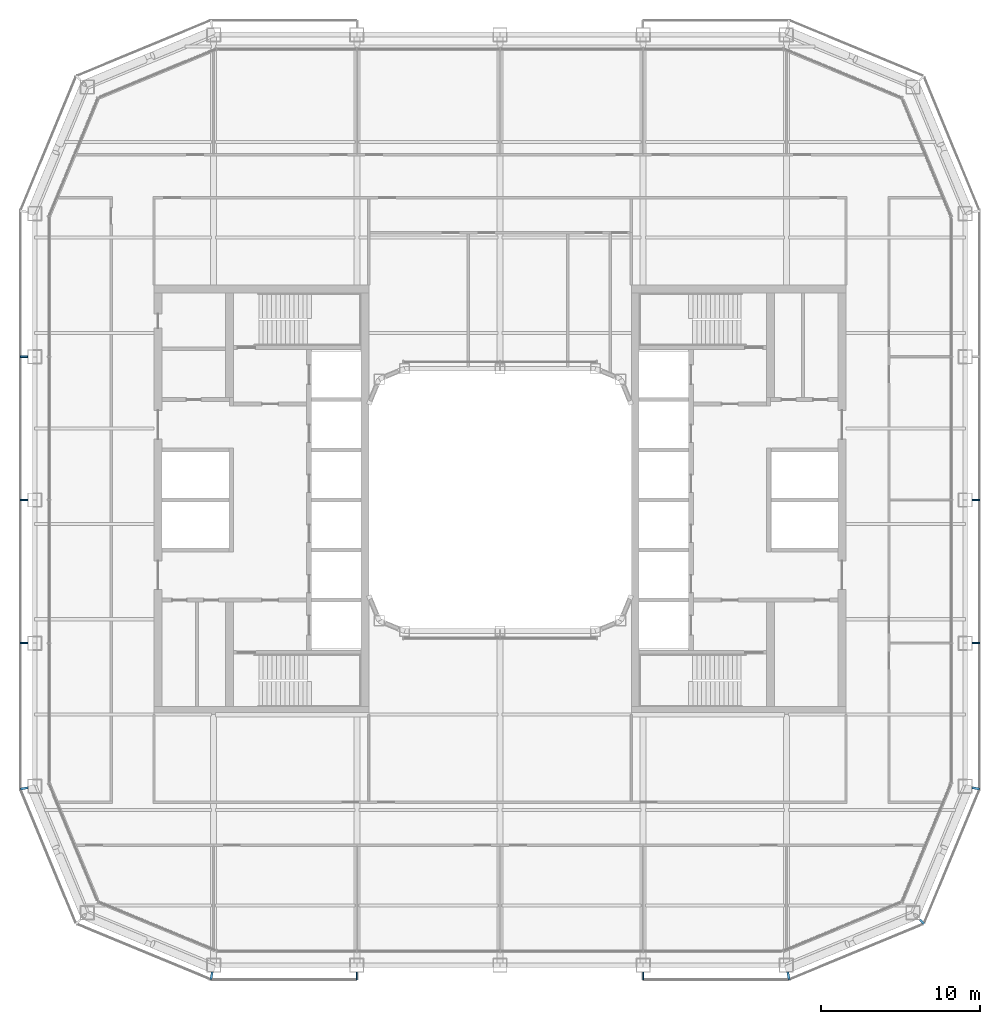
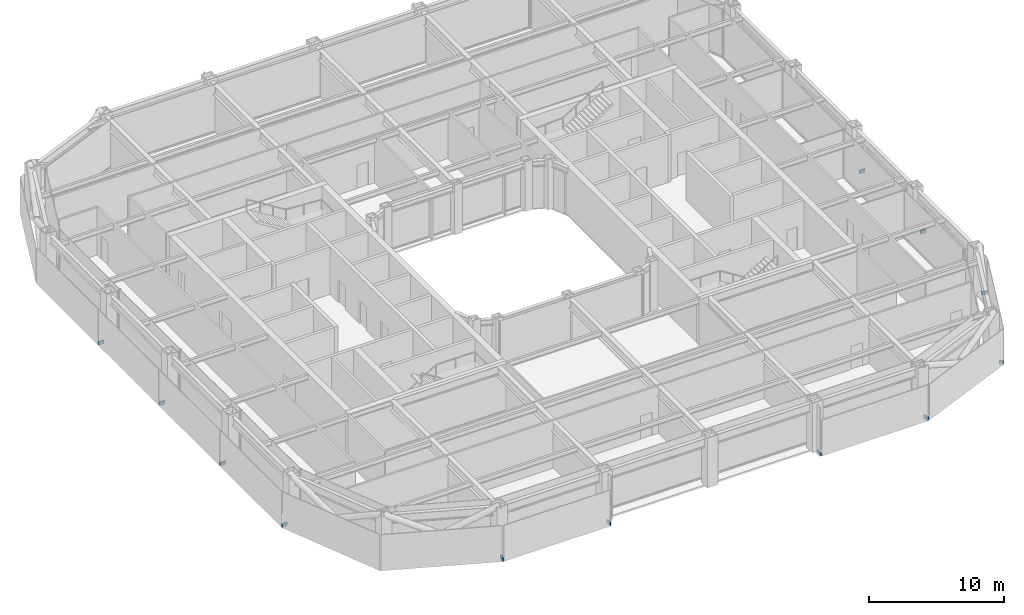
# One storey, part 15 of 21: 12 discrete accessories.
"""IFC4 building model written with IfcOpenShell, lengths in metres."""

from ifc_helpers import new_model, si_unit, direction, frame, origin, origin_2d, place, context, subcontext, project, spatial, rectangle, extrude, material, type_object, element, save


model = new_model("IFC4")

# Units and contexts
model_context = context("Model", 3, precision=1e-05, world=origin(), true_north=direction((0.0, 1.0)))
body_context = subcontext(model_context, "Body", "Model", "MODEL_VIEW")
ifc_project = project(units=[si_unit("LENGTHUNIT", "METRE"), si_unit("AREAUNIT", "SQUARE_METRE"), si_unit("VOLUMEUNIT", "CUBIC_METRE"), si_unit("PLANEANGLEUNIT", "RADIAN"), si_unit("MASSUNIT", "GRAM", prefix="KILO")], contexts=[model_context])

# Site, building, storey
site_placement = place(None, origin())
site = spatial("IfcSite", under=ifc_project, at=site_placement, CompositionType="ELEMENT")
building_placement = place(site_placement, origin())
building = spatial("IfcBuilding", under=site, at=building_placement, Name="Siwar Civic Tower", CompositionType="ELEMENT")
storey_placement = place(building_placement, frame((0.0, 0.0, 176.699951171875)))
storey = spatial("IfcBuildingStorey", under=building, at=storey_placement, Name="L38", CompositionType="ELEMENT", Elevation=176.699951171875)

# Discrete accessories
ifc_material = material(Name="Stainless steel 316", Category="steel")
discrete_accessory_type = type_object("IfcDiscreteAccessoryType", Name="ENV-BRACKET", PredefinedType="BRACKET", material=ifc_material)
for number, where, z_axis, x_axis, name in (
    (1, (29.9150390625, -9.0, -0.14990234375), (0.0, 0.0, 1.0), (1.0, 0.0, 0.0), "Bracket outer skin joint E-01"),
    (2, (29.9150390625, 0.0, -0.14990234375), (0.0, 0.0, 1.0), (1.0, 0.0, 0.0), "Bracket outer skin joint E-02"),
    (3, (-9.0, -29.9150390625, -0.14990234375), (0.0, 0.0, 1.0), (0.0, -1.0, 0.0), "Bracket outer skin joint S-01"),
    (4, (9.0, -29.9150390625, -0.14990234375), (0.0, 0.0, 1.0), (0.0, -1.0, 0.0), "Bracket outer skin joint S-03"),
):
    element("IfcDiscreteAccessory", number, at=place(storey_placement, frame(where, z_axis=z_axis, x_axis=x_axis)), inside=storey, type_object=discrete_accessory_type, Name=name, PredefinedType="BRACKET", context=body_context, shape_type="SweptSolid", body=[
        extrude(rectangle(XDim=0.469970703125, YDim=0.10009765625, at=origin_2d()), origin(), (0.0, 0.0, 1.0), 0.300048828125),
    ])
for number, where, z_axis, x_axis, name in (
    (5, (-18.13232421875, -29.915283203125, -0.14990234375), (0.0, 0.0, 1.0), (-0.195090322016, -0.980785280403, 0.0), "Bracket outer skin joint V00"),
    (6, (18.13232421875, -29.915283203125, -0.14990234375), (0.0, 0.0, 1.0), (0.195090322016, -0.980785280403, 0.0), "Bracket outer skin joint V01"),
):
    element("IfcDiscreteAccessory", number, at=place(storey_placement, frame(where, z_axis=z_axis, x_axis=x_axis)), inside=storey, type_object=discrete_accessory_type, Name=name, PredefinedType="BRACKET", context=body_context, shape_type="SweptSolid", body=[
        extrude(rectangle(XDim=0.478759765625, YDim=0.13720703125, at=origin_2d()), origin(), (0.0, 0.0, 1.0), 0.300048828125),
    ])
discrete_accessory_placement = place(storey_placement, frame((26.517333984375, -26.517333984375, -0.14990234375), z_axis=(0.0, 0.0, 1.0), x_axis=(0.707106781187, -0.707106781187, 0.0)))
element("IfcDiscreteAccessory", 7, at=discrete_accessory_placement, inside=storey, type_object=discrete_accessory_type, Name="Bracket outer skin joint V02", PredefinedType="BRACKET", context=body_context, shape_type="SweptSolid", body=[
    extrude(rectangle(XDim=0.357666015625, YDim=0.12939453125, at=origin_2d()), origin(), (0.0, 0.0, 1.0), 0.300048828125),
])
for number, where, z_axis, x_axis, name in (
    (8, (29.915283203125, -18.13232421875, -0.14990234375), (0.0, 0.0, 1.0), (0.980785280403, -0.195090322016, 0.0), "Bracket outer skin joint V03"),
    (9, (-29.915283203125, -18.13232421875, -0.14990234375), (0.0, 0.0, 1.0), (-0.980785280403, -0.195090322016, 0.0), "Bracket outer skin joint V10"),
):
    element("IfcDiscreteAccessory", number, at=place(storey_placement, frame(where, z_axis=z_axis, x_axis=x_axis)), inside=storey, type_object=discrete_accessory_type, Name=name, PredefinedType="BRACKET", context=body_context, shape_type="SweptSolid", body=[
        extrude(rectangle(XDim=0.478759765625, YDim=0.13720703125, at=origin_2d()), origin(), (0.0, 0.0, 1.0), 0.300048828125),
    ])
for number, where, z_axis, x_axis, name in (
    (10, (-29.9150390625, 9.0, -0.14990234375), (0.0, 0.0, 1.0), (-1.0, 0.0, 0.0), "Bracket outer skin joint W-01"),
    (11, (-29.9150390625, 0.0, -0.14990234375), (0.0, 0.0, 1.0), (-1.0, 0.0, 0.0), "Bracket outer skin joint W-02"),
    (12, (-29.9150390625, -9.0, -0.14990234375), (0.0, 0.0, 1.0), (-1.0, 0.0, 0.0), "Bracket outer skin joint W-03"),
):
    element("IfcDiscreteAccessory", number, at=place(storey_placement, frame(where, z_axis=z_axis, x_axis=x_axis)), inside=storey, type_object=discrete_accessory_type, Name=name, PredefinedType="BRACKET", context=body_context, shape_type="SweptSolid", body=[
        extrude(rectangle(XDim=0.469970703125, YDim=0.10009765625, at=origin_2d()), origin(), (0.0, 0.0, 1.0), 0.300048828125),
    ])

save(model, "model.ifc")
